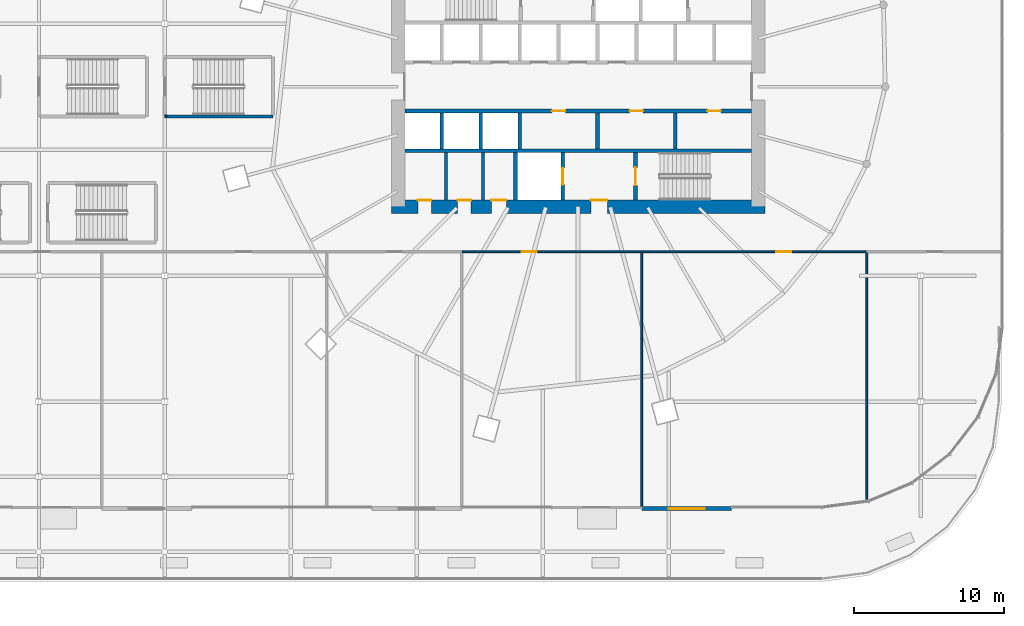
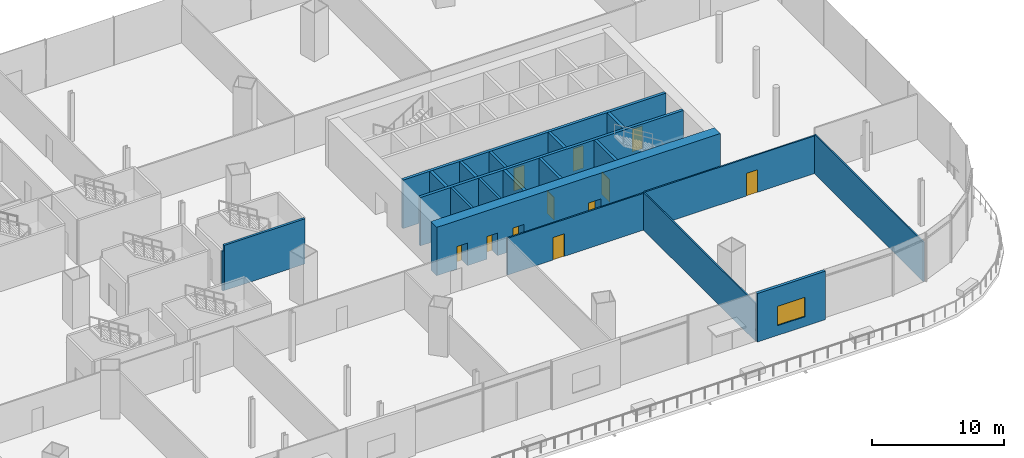
# One storey, part 38 of 52: 20 walls, 11 doors, 1 window, 12 openings.
"""IFC4 building model written with IfcOpenShell, lengths in metres."""

from ifc_helpers import new_model, si_unit, direction, frame, frame_2d, origin, place, context, subcontext, project, spatial, rectangle, extrude, material, layer, layer_set, type_object, element, fill, save


model = new_model("IFC4")

# Units and contexts
model_context = context("Model", 3, precision=1e-05, world=origin(), true_north=direction((0.0, 1.0)))
body_context = subcontext(model_context, "Body", "Model", "MODEL_VIEW")
ifc_project = project(units=[si_unit("LENGTHUNIT", "METRE"), si_unit("AREAUNIT", "SQUARE_METRE"), si_unit("VOLUMEUNIT", "CUBIC_METRE"), si_unit("PLANEANGLEUNIT", "RADIAN"), si_unit("MASSUNIT", "GRAM", prefix="KILO")], contexts=[model_context])

# Site, building, storey
site_placement = place(None, origin())
site = spatial("IfcSite", under=ifc_project, at=site_placement, CompositionType="ELEMENT")
building_placement = place(site_placement, origin())
building = spatial("IfcBuilding", under=site, at=building_placement, Name="Rimbun Link Towers", CompositionType="ELEMENT")
storey_placement = place(building_placement, frame((0.0, 0.0, 21.0)))
storey = spatial("IfcBuildingStorey", under=building, at=storey_placement, Name="L04", CompositionType="ELEMENT", Elevation=21.0)

# Walls
ifc_material_1 = material(Name="Masonry blockwork", Category="masonry")
ifc_layer_1 = layer(ifc_material_1, 0.199951171875)
ifc_layer_set_1 = layer_set([ifc_layer_1], Name="Core partition 200")
wall_type_1 = type_object("IfcWallType", Name="Core partition 200", PredefinedType="PARTITIONING", material=ifc_layer_set_1)
for number, where, z_axis, x_axis, name in (
    (1, (22.949951171875, -4.39990234375, 0.0), (0.0, 0.0, 1.0), (0.0, -1.0, 0.0), "L04 T2 core wall C1"),
    (2, (25.39990234375, -4.39990234375, 0.0), (0.0, 0.0, 1.0), (0.0, -1.0, 0.0), "L04 T2 core wall C2"),
):
    element("IfcWall", number, at=place(storey_placement, frame(where, z_axis=z_axis, x_axis=x_axis)), inside=storey, type_object=wall_type_1, Name=name, PredefinedType="PARTITIONING", context=body_context, shape_type="SweptSolid", body=[
        extrude(rectangle(XDim=3.150146484375, YDim=0.199951171875, at=frame_2d((1.5751953125, 0.0))), origin(), (0.0, 0.0, 1.0), 4.5),
    ])

# Wall, openings, doors
ifc_material_2 = material(Name="Concrete C60/75", Category="concrete")
ifc_layer_2 = layer(ifc_material_2, 0.89990234375)
ifc_layer_set_2 = layer_set([ifc_layer_2], Name="Core shear wall 900")
wall_type_2 = type_object("IfcWallType", Name="Core shear wall 900", PredefinedType="SHEAR", material=ifc_layer_set_2)
wall_1_placement = place(storey_placement, frame((19.300048828125, -8.0, 0.0), z_axis=(0.0, 0.0, 1.0), x_axis=(1.0, 0.0, 0.0)))
wall_1 = element("IfcWall", 3, at=wall_1_placement, inside=storey, type_object=wall_type_2, Name="L04 T2 core wall S", PredefinedType="SHEAR", context=body_context, shape_type="SweptSolid", body=[
    extrude(rectangle(XDim=24.89990234375, YDim=0.89990234375, at=frame_2d((12.449951171875, 0.0))), origin(), (0.0, 0.0, 1.0), 4.5),
])
opening_1_placement = place(wall_1_placement, frame((13.300048828125, 0.0, 0.0)))
opening_1 = element("IfcOpeningElement", 4, at=opening_1_placement, cuts=wall_1, Name="Opening C2DCF01S", PredefinedType="OPENING", context=body_context, shape_type="SweptSolid", body=[
    extrude(rectangle(XDim=1.10009765625, YDim=2.10009765625, at=frame_2d((0.550048828125, 1.050048828125))), frame((0.0, 0.4599609375, 0.0), z_axis=(0.0, -1.0, 0.0), x_axis=(1.0, 0.0, 0.0)), (0.0, 0.0, 1.0), 0.919921875),
])
opening_2_placement = place(wall_1_placement, frame((1.77490234375, 0.0, 0.0)))
opening_2 = element("IfcOpeningElement", 5, at=opening_2_placement, cuts=wall_1, Name="Opening C2DWC02S", PredefinedType="OPENING", context=body_context, shape_type="SweptSolid", body=[
    extrude(rectangle(XDim=0.89990234375, YDim=2.10009765625, at=frame_2d((0.449951171875, 1.050048828125))), frame((0.0, 0.4599609375, 0.0), z_axis=(0.0, -1.0, 0.0), x_axis=(1.0, 0.0, 0.0)), (0.0, 0.0, 1.0), 0.919921875),
])
opening_3_placement = place(wall_1_placement, frame((4.425048828125, 0.0, 0.0)))
opening_3 = element("IfcOpeningElement", 6, at=opening_3_placement, cuts=wall_1, Name="Opening C2DWC03S", PredefinedType="OPENING", context=body_context, shape_type="SweptSolid", body=[
    extrude(rectangle(XDim=0.89990234375, YDim=2.10009765625, at=frame_2d((0.449951171875, 1.050048828125))), frame((0.0, 0.4599609375, 0.0), z_axis=(0.0, -1.0, 0.0), x_axis=(1.0, 0.0, 0.0)), (0.0, 0.0, 1.0), 0.919921875),
])
opening_4_placement = place(wall_1_placement, frame((6.675048828125, 0.0, 0.0)))
opening_4 = element("IfcOpeningElement", 7, at=opening_4_placement, cuts=wall_1, Name="Opening C2DAW04S", PredefinedType="OPENING", context=body_context, shape_type="SweptSolid", body=[
    extrude(rectangle(XDim=1.0, YDim=2.10009765625, at=frame_2d((0.5, 1.050048828125))), frame((0.0, 0.4599609375, 0.0), z_axis=(0.0, -1.0, 0.0), x_axis=(1.0, 0.0, 0.0)), (0.0, 0.0, 1.0), 0.919921875),
])
ifc_material_3 = material(Name="Timber", Category="wood")
door_type_1 = type_object("IfcDoorType", Name="Accessible WC door", OperationType="SINGLE_SWING_LEFT", PredefinedType="DOOR", material=ifc_material_3)
door_1_placement = place(opening_4_placement, origin())
door_1 = element("IfcDoor", 8, at=door_1_placement, inside=storey, type_object=door_type_1, Name="L04 T2 accessible wc door", OperationType="SINGLE_SWING_RIGHT", OverallHeight=2.10009765625, OverallWidth=1.0, PredefinedType="DOOR", context=body_context, shape_type="SweptSolid", body=[
    extrude(rectangle(XDim=1.0, YDim=2.10009765625, at=frame_2d((0.5, 1.050048828125))), frame((0.0, 0.4501953125, 0.0), z_axis=(0.0, -1.0, 0.0), x_axis=(1.0, 0.0, 0.0)), (0.0, 0.0, 1.0), 0.050048828125),
])
fill(opening_4, door_1)
ifc_material_4 = material(Name="Steel fire door set", Category="steel")
door_type_2 = type_object("IfcDoorType", Name="Core fire door single", OperationType="SINGLE_SWING_LEFT", PredefinedType="DOOR", material=ifc_material_4)
door_2_placement = place(opening_1_placement, origin())
door_2 = element("IfcDoor", 9, at=door_2_placement, inside=storey, type_object=door_type_2, Name="L04 T2 firefighting lobby s door", OperationType="SINGLE_SWING_RIGHT", OverallHeight=2.10009765625, OverallWidth=1.10009765625, PredefinedType="DOOR", context=body_context, shape_type="SweptSolid", body=[
    extrude(rectangle(XDim=1.10009765625, YDim=2.10009765625, at=frame_2d((0.550048828125, 1.050048828125))), frame((0.0, 0.4501953125, 0.0), z_axis=(0.0, -1.0, 0.0), x_axis=(1.0, 0.0, 0.0)), (0.0, 0.0, 1.0), 0.050048828125),
])
fill(opening_1, door_2)
ifc_material_5 = material(Name="Timber", Category="wood")
door_type_3 = type_object("IfcDoorType", Name="WC door", OperationType="SINGLE_SWING_LEFT", PredefinedType="DOOR", material=ifc_material_5)
door_3_placement = place(opening_2_placement, origin())
door_3 = element("IfcDoor", 10, at=door_3_placement, inside=storey, type_object=door_type_3, Name="L04 T2 male wc door", OperationType="SINGLE_SWING_LEFT", OverallHeight=2.10009765625, OverallWidth=0.89990234375, PredefinedType="DOOR", context=body_context, shape_type="SweptSolid", body=[
    extrude(rectangle(XDim=0.89990234375, YDim=2.10009765625, at=frame_2d((0.449951171875, 1.050048828125))), frame((0.0, 0.4501953125, 0.0), z_axis=(0.0, -1.0, 0.0), x_axis=(1.0, 0.0, 0.0)), (0.0, 0.0, 1.0), 0.050048828125),
])
fill(opening_2, door_3)
door_4_placement = place(opening_3_placement, origin())
door_4 = element("IfcDoor", 11, at=door_4_placement, inside=storey, type_object=door_type_3, Name="L04 T2 female wc door", OperationType="SINGLE_SWING_RIGHT", OverallHeight=2.10009765625, OverallWidth=0.89990234375, PredefinedType="DOOR", context=body_context, shape_type="SweptSolid", body=[
    extrude(rectangle(XDim=0.89990234375, YDim=2.10009765625, at=frame_2d((0.449951171875, 1.050048828125))), frame((0.0, 0.4501953125, 0.0), z_axis=(0.0, -1.0, 0.0), x_axis=(1.0, 0.0, 0.0)), (0.0, 0.0, 1.0), 0.050048828125),
])
fill(opening_3, door_4)

# Wall, opening, window
ifc_material_6 = material(Name="Concrete C32/40, terracotta rainscreen cladding", Category="masonry")
ifc_layer_3 = layer(ifc_material_6, 0.25)
ifc_layer_set_3 = layer_set([ifc_layer_3], Name="PD solid bay wall 250")
wall_type_3 = type_object("IfcWallType", Name="PD solid bay wall 250", PredefinedType="STANDARD", material=ifc_layer_set_3)
wall_2_placement = place(storey_placement, frame((41.97998046875, -28.125, 0.0), z_axis=(0.0, 0.0, 1.0), x_axis=(-1.0, 0.0, 0.0)))
wall_2 = element("IfcWall", 12, at=wall_2_placement, inside=storey, type_object=wall_type_3, Name="Solid bay wall", PredefinedType="STANDARD", context=body_context, shape_type="SweptSolid", body=[
    extrude(rectangle(XDim=5.9599609375, YDim=0.25, at=frame_2d((2.97998046875, 0.0))), origin(), (0.0, 0.0, 1.0), 4.5),
])
opening_5_placement = place(wall_2_placement, frame((1.780029296875, 0.0, 0.89990234375)))
opening_5 = element("IfcOpeningElement", 13, at=opening_5_placement, cuts=wall_2, Name="Opening WN19", PredefinedType="OPENING", context=body_context, shape_type="SweptSolid", body=[
    extrude(rectangle(XDim=2.39990234375, YDim=1.800048828125, at=frame_2d((1.199951171875, 0.89990234375))), frame((0.0, 0.135009765625, 0.0), z_axis=(0.0, -1.0, 0.0), x_axis=(1.0, 0.0, 0.0)), (0.0, 0.0, 1.0), 0.27001953125),
])
ifc_material_7 = material(Name="Aluminium framed window, low-iron glass", Category="aluminium")
window_type = type_object("IfcWindowType", Name="W1 podium window 2400X1800", PartitioningType="SINGLE_PANEL", PredefinedType="WINDOW", material=ifc_material_7)
window_placement = place(opening_5_placement, origin())
window = element("IfcWindow", 14, at=window_placement, inside=storey, type_object=window_type, Name="Podium window", OverallHeight=1.800048828125, OverallWidth=2.39990234375, PartitioningType="SINGLE_PANEL", PredefinedType="WINDOW", context=body_context, shape_type="SweptSolid", body=[
    extrude(rectangle(XDim=2.39990234375, YDim=1.800048828125, at=frame_2d((1.199951171875, 0.89990234375))), frame((0.0, 0.030029296875, 0.0), z_axis=(0.0, -1.0, 0.0), x_axis=(1.0, 0.0, 0.0)), (0.0, 0.0, 1.0), 0.06005859375),
])
fill(opening_5, window)

# Wall, opening, door
ifc_material_8 = material(Name="Gypsum board on steel studs", Category="steel")
ifc_layer_4 = layer(ifc_material_8, 0.125)
ifc_layer_set_4 = layer_set([ifc_layer_4], Name="Partition 125 board on studs")
wall_type_4 = type_object("IfcWallType", Name="Partition 125 board on studs", PredefinedType="PARTITIONING", material=ifc_layer_set_4)
wall_3_placement = place(storey_placement, frame((24.0, -11.0, 0.0), z_axis=(0.0, 0.0, 1.0), x_axis=(1.0, 0.0, 0.0)))
wall_3 = element("IfcWall", 15, at=wall_3_placement, inside=storey, type_object=wall_type_4, Name="PD/PW/L04/032", PredefinedType="PARTITIONING", context=body_context, shape_type="SweptSolid", body=[
    extrude(rectangle(XDim=12.0, YDim=0.125, at=frame_2d((6.0, 0.0))), origin(), (0.0, 0.0, 1.0), 3.41796875),
])
opening_6_placement = place(wall_3_placement, frame((3.985107421875, 0.0, 0.0)))
opening_6 = element("IfcOpeningElement", 16, at=opening_6_placement, cuts=wall_3, Name="Opening PD D04.08", PredefinedType="OPENING", context=body_context, shape_type="SweptSolid", body=[
    extrude(rectangle(XDim=1.0, YDim=2.10009765625, at=frame_2d((0.5, 1.050048828125))), frame((0.0, 0.072509765625, 0.0), z_axis=(0.0, -1.0, 0.0), x_axis=(1.0, 0.0, 0.0)), (0.0, 0.0, 1.0), 0.14501953125),
])
ifc_material_9 = material(Name="Timber door set", Category="wood")
door_type_4 = type_object("IfcDoorType", Name="Door single leaf 1000 x 2100", OperationType="NOTDEFINED", PredefinedType="DOOR", material=ifc_material_9)
door_5_placement = place(opening_6_placement, origin())
door_5 = element("IfcDoor", 17, at=door_5_placement, inside=storey, type_object=door_type_4, Name="PD/DR/L04/008", OperationType="SINGLE_SWING_LEFT", OverallHeight=2.10009765625, OverallWidth=1.0, PredefinedType="DOOR", context=body_context, shape_type="SweptSolid", body=[
    extrude(rectangle(XDim=1.0, YDim=2.10009765625, at=frame_2d((0.5, 1.050048828125))), frame((0.0, 0.02490234375, 0.0), z_axis=(0.0, -1.0, 0.0), x_axis=(1.0, 0.0, 0.0)), (0.0, 0.0, 1.0), 0.050048828125),
])
fill(opening_6, door_5)

wall_4_placement = place(storey_placement, frame((36.0, -11.0, 0.0), z_axis=(0.0, 0.0, 1.0), x_axis=(1.0, 0.0, 0.0)))
wall_4 = element("IfcWall", 18, at=wall_4_placement, inside=storey, type_object=wall_type_4, Name="PD/PW/L04/033", PredefinedType="PARTITIONING", context=body_context, shape_type="SweptSolid", body=[
    extrude(rectangle(XDim=15.0, YDim=0.125, at=frame_2d((7.5, 0.0))), origin(), (0.0, 0.0, 1.0), 3.49609375),
])
opening_7_placement = place(wall_4_placement, frame((8.965087890625, 0.0, 0.0)))
opening_7 = element("IfcOpeningElement", 19, at=opening_7_placement, cuts=wall_4, Name="Opening PD D04.09", PredefinedType="OPENING", context=body_context, shape_type="SweptSolid", body=[
    extrude(rectangle(XDim=1.0, YDim=2.10009765625, at=frame_2d((0.5, 1.050048828125))), frame((0.0, 0.072509765625, 0.0), z_axis=(0.0, -1.0, 0.0), x_axis=(1.0, 0.0, 0.0)), (0.0, 0.0, 1.0), 0.14501953125),
])
door_6_placement = place(opening_7_placement, origin())
door_6 = element("IfcDoor", 20, at=door_6_placement, inside=storey, type_object=door_type_4, Name="PD/DR/L04/009", OperationType="SINGLE_SWING_RIGHT", OverallHeight=2.10009765625, OverallWidth=1.0, PredefinedType="DOOR", context=body_context, shape_type="SweptSolid", body=[
    extrude(rectangle(XDim=1.0, YDim=2.10009765625, at=frame_2d((0.5, 1.050048828125))), frame((0.0, 0.02490234375, 0.0), z_axis=(0.0, -1.0, 0.0), x_axis=(1.0, 0.0, 0.0)), (0.0, 0.0, 1.0), 0.050048828125),
])
fill(opening_7, door_6)

# Walls
wall_5_placement = place(storey_placement, frame((36.0, -28.080078125, 0.0), z_axis=(0.0, 0.0, 1.0), x_axis=(0.0, 1.0, 0.0)))
element("IfcWall", 21, at=wall_5_placement, inside=storey, type_object=wall_type_4, Name="PD/PW/L04/052", PredefinedType="PARTITIONING", context=body_context, shape_type="SweptSolid", body=[
    extrude(rectangle(XDim=17.017578125, YDim=0.125, at=frame_2d((8.5087890625, 0.0))), origin(), (0.0, 0.0, 1.0), 3.49609375),
])
wall_6_placement = place(storey_placement, frame((51.0, -27.60498046875, 0.0), z_axis=(0.0, 0.0, 1.0), x_axis=(0.0, 1.0, 0.0)))
element("IfcWall", 22, at=wall_6_placement, inside=storey, type_object=wall_type_4, Name="PD/PW/L04/053", PredefinedType="PARTITIONING", context=body_context, shape_type="SweptSolid", body=[
    extrude(rectangle(XDim=16.54248046875, YDim=0.125, at=frame_2d((8.271240234375, 0.0))), origin(), (0.0, 0.0, 1.0), 3.64697265625),
])
ifc_material_10 = material(Name="Concrete C60/75", Category="concrete")
ifc_layer_5 = layer(ifc_material_10, 0.25)
ifc_layer_set_5 = layer_set([ifc_layer_5], Name="Shaft wall 250")
wall_type_5 = type_object("IfcWallType", Name="Shaft wall 250", PredefinedType="SHEAR", material=ifc_layer_set_5)
wall_7_placement = place(storey_placement, frame((20.199951171875, -4.27490234375, 0.0), z_axis=(0.0, 0.0, 1.0), x_axis=(1.0, 0.0, 0.0)))
element("IfcWall", 23, at=wall_7_placement, inside=storey, type_object=wall_type_5, Name="L04 T2 core wall BS", PredefinedType="SHEAR", context=body_context, shape_type="SweptSolid", body=[
    extrude(rectangle(XDim=23.10009765625, YDim=0.25, at=frame_2d((11.550048828125, 0.0))), origin(), (0.0, 0.0, 1.0), 4.5),
])

# Wall, openings, doors
wall_8_placement = place(storey_placement, frame((20.199951171875, -1.625, 0.0), z_axis=(0.0, 0.0, 1.0), x_axis=(1.0, 0.0, 0.0)))
wall_8 = element("IfcWall", 24, at=wall_8_placement, inside=storey, type_object=wall_type_5, Name="L04 T2 core wall FS", PredefinedType="SHEAR", context=body_context, shape_type="SweptSolid", body=[
    extrude(rectangle(XDim=23.10009765625, YDim=0.25, at=frame_2d((11.550048828125, 0.0))), origin(), (0.0, 0.0, 1.0), 4.5),
])
opening_8_placement = place(wall_8_placement, frame((9.802734375, 0.0, 0.0)))
opening_8 = element("IfcOpeningElement", 25, at=opening_8_placement, cuts=wall_8, Name="Opening C2DRS01FS", PredefinedType="OPENING", context=body_context, shape_type="SweptSolid", body=[
    extrude(rectangle(XDim=0.89990234375, YDim=2.10009765625, at=frame_2d((0.449951171875, 1.050048828125))), frame((0.0, 0.135009765625, 0.0), z_axis=(0.0, -1.0, 0.0), x_axis=(1.0, 0.0, 0.0)), (0.0, 0.0, 1.0), 0.27001953125),
])
opening_9_placement = place(wall_8_placement, frame((14.99169921875, 0.0, 0.0)))
opening_9 = element("IfcOpeningElement", 26, at=opening_9_placement, cuts=wall_8, Name="Opening C2DRS02FS", PredefinedType="OPENING", context=body_context, shape_type="SweptSolid", body=[
    extrude(rectangle(XDim=0.89990234375, YDim=2.10009765625, at=frame_2d((0.449951171875, 1.050048828125))), frame((0.0, 0.135009765625, 0.0), z_axis=(0.0, -1.0, 0.0), x_axis=(1.0, 0.0, 0.0)), (0.0, 0.0, 1.0), 0.27001953125),
])
opening_10_placement = place(wall_8_placement, frame((20.1806640625, 0.0, 0.0)))
opening_10 = element("IfcOpeningElement", 27, at=opening_10_placement, cuts=wall_8, Name="Opening C2DRS03FS", PredefinedType="OPENING", context=body_context, shape_type="SweptSolid", body=[
    extrude(rectangle(XDim=0.89990234375, YDim=2.10009765625, at=frame_2d((0.449951171875, 1.050048828125))), frame((0.0, 0.135009765625, 0.0), z_axis=(0.0, -1.0, 0.0), x_axis=(1.0, 0.0, 0.0)), (0.0, 0.0, 1.0), 0.27001953125),
])
ifc_material_11 = material(Name="Steel fire door set", Category="steel")
door_type_5 = type_object("IfcDoorType", Name="Core riser door", OperationType="SINGLE_SWING_LEFT", PredefinedType="DOOR", material=ifc_material_11)
door_7_placement = place(opening_8_placement, origin())
door_7 = element("IfcDoor", 28, at=door_7_placement, inside=storey, type_object=door_type_5, Name="L04 T2 server room door", OperationType="SINGLE_SWING_LEFT", OverallHeight=2.10009765625, OverallWidth=0.89990234375, PredefinedType="DOOR", context=body_context, shape_type="SweptSolid", body=[
    extrude(rectangle(XDim=0.89990234375, YDim=2.10009765625, at=frame_2d((0.449951171875, 1.050048828125))), frame((0.0, 0.02490234375, 0.0), z_axis=(0.0, -1.0, 0.0), x_axis=(1.0, 0.0, 0.0)), (0.0, 0.0, 1.0), 0.050048828125),
])
fill(opening_8, door_7)
door_8_placement = place(opening_9_placement, origin())
door_8 = element("IfcDoor", 29, at=door_8_placement, inside=storey, type_object=door_type_5, Name="L04 T2 print room door", OperationType="SINGLE_SWING_LEFT", OverallHeight=2.10009765625, OverallWidth=0.89990234375, PredefinedType="DOOR", context=body_context, shape_type="SweptSolid", body=[
    extrude(rectangle(XDim=0.89990234375, YDim=2.10009765625, at=frame_2d((0.449951171875, 1.050048828125))), frame((0.0, 0.02490234375, 0.0), z_axis=(0.0, -1.0, 0.0), x_axis=(1.0, 0.0, 0.0)), (0.0, 0.0, 1.0), 0.050048828125),
])
fill(opening_9, door_8)
door_9_placement = place(opening_10_placement, origin())
door_9 = element("IfcDoor", 30, at=door_9_placement, inside=storey, type_object=door_type_5, Name="L04 T2 staff lounge door", OperationType="SINGLE_SWING_LEFT", OverallHeight=2.10009765625, OverallWidth=0.89990234375, PredefinedType="DOOR", context=body_context, shape_type="SweptSolid", body=[
    extrude(rectangle(XDim=0.89990234375, YDim=2.10009765625, at=frame_2d((0.449951171875, 1.050048828125))), frame((0.0, 0.02490234375, 0.0), z_axis=(0.0, -1.0, 0.0), x_axis=(1.0, 0.0, 0.0)), (0.0, 0.0, 1.0), 0.050048828125),
])
fill(opening_10, door_9)

# Walls
for number, where, z_axis, x_axis, name in (
    (31, (22.66943359375, -4.14990234375, 0.0), (0.0, 0.0, 1.0), (0.0, 1.0, 0.0), "L04 T2 core wall DS0"),
    (32, (25.263916015625, -4.14990234375, 0.0), (0.0, 0.0, 1.0), (0.0, 1.0, 0.0), "L04 T2 core wall DS1"),
    (33, (27.8583984375, -4.14990234375, 0.0), (0.0, 0.0, 1.0), (0.0, 1.0, 0.0), "L04 T2 core wall DS2"),
    (34, (33.047119140625, -4.14990234375, 0.0), (0.0, 0.0, 1.0), (0.0, 1.0, 0.0), "L04 T2 core wall DS4"),
    (35, (38.236083984375, -4.14990234375, 0.0), (0.0, 0.0, 1.0), (0.0, 1.0, 0.0), "L04 T2 core wall DS6"),
):
    element("IfcWall", number, at=place(storey_placement, frame(where, z_axis=z_axis, x_axis=x_axis)), inside=storey, type_object=wall_type_5, Name=name, PredefinedType="SHEAR", context=body_context, shape_type="SweptSolid", body=[
        extrude(rectangle(XDim=2.39990234375, YDim=0.25, at=frame_2d((1.199951171875, 0.0))), origin(), (0.0, 0.0, 1.0), 4.5),
    ])

# Wall, opening, door
wall_9_placement = place(storey_placement, frame((35.574951171875, -4.39990234375, 0.0), z_axis=(0.0, 0.0, 1.0), x_axis=(0.0, -1.0, 0.0)))
wall_9 = element("IfcWall", 36, at=wall_9_placement, inside=storey, type_object=wall_type_5, Name="L04 T2 core wall B1", PredefinedType="SHEAR", context=body_context, shape_type="SweptSolid", body=[
    extrude(rectangle(XDim=3.150146484375, YDim=0.25, at=frame_2d((1.5751953125, 0.0))), origin(), (0.0, 0.0, 1.0), 4.5),
])
opening_11_placement = place(wall_9_placement, frame((0.97509765625, 0.0, 0.0)))
opening_11 = element("IfcOpeningElement", 37, at=opening_11_placement, cuts=wall_9, Name="Opening C2DST01B1", PredefinedType="OPENING", context=body_context, shape_type="SweptSolid", body=[
    extrude(rectangle(XDim=1.199951171875, YDim=2.10009765625, at=frame_2d((0.60009765625, 1.050048828125))), frame((0.0, 0.135009765625, 0.0), z_axis=(0.0, -1.0, 0.0), x_axis=(1.0, 0.0, 0.0)), (0.0, 0.0, 1.0), 0.27001953125),
])
ifc_material_12 = material(Name="Steel fire door set", Category="steel")
door_type_6 = type_object("IfcDoorType", Name="Stair door", OperationType="SINGLE_SWING_LEFT", PredefinedType="DOOR", material=ifc_material_12)
door_10_placement = place(opening_11_placement, origin())
door_10 = element("IfcDoor", 38, at=door_10_placement, inside=storey, type_object=door_type_6, Name="L04 T2 stair b door", OperationType="SINGLE_SWING_RIGHT", OverallHeight=2.10009765625, OverallWidth=1.199951171875, PredefinedType="DOOR", context=body_context, shape_type="SweptSolid", body=[
    extrude(rectangle(XDim=1.199951171875, YDim=2.10009765625, at=frame_2d((0.60009765625, 1.050048828125))), frame((0.0, 0.02490234375, 0.0), z_axis=(0.0, -1.0, 0.0), x_axis=(1.0, 0.0, 0.0)), (0.0, 0.0, 1.0), 0.050048828125),
])
fill(opening_11, door_10)

wall_10_placement = place(storey_placement, frame((30.72509765625, -4.39990234375, 0.0), z_axis=(0.0, 0.0, 1.0), x_axis=(0.0, -1.0, 0.0)))
wall_10 = element("IfcWall", 39, at=wall_10_placement, inside=storey, type_object=wall_type_5, Name="L04 T2 core wall B2", PredefinedType="SHEAR", context=body_context, shape_type="SweptSolid", body=[
    extrude(rectangle(XDim=3.150146484375, YDim=0.25, at=frame_2d((1.5751953125, 0.0))), origin(), (0.0, 0.0, 1.0), 4.5),
])
opening_12_placement = place(wall_10_placement, frame((1.02490234375, 0.0, 0.0)))
opening_12 = element("IfcOpeningElement", 40, at=opening_12_placement, cuts=wall_10, Name="Opening LD-T2-FF2", PredefinedType="OPENING", context=body_context, shape_type="SweptSolid", body=[
    extrude(rectangle(XDim=1.10009765625, YDim=2.10009765625, at=frame_2d((0.550048828125, 1.050048828125))), frame((0.0, 0.135009765625, 0.0), z_axis=(0.0, -1.0, 0.0), x_axis=(1.0, 0.0, 0.0)), (0.0, 0.0, 1.0), 0.27001953125),
])
ifc_material_13 = material(Name="Stainless steel grade 316", Category="steel")
door_type_7 = type_object("IfcDoorType", Name="Lift landing door", OperationType="DOUBLE_DOOR_SLIDING", PredefinedType="DOOR", material=ifc_material_13)
door_11_placement = place(opening_12_placement, origin())
door_11 = element("IfcDoor", 41, at=door_11_placement, inside=storey, type_object=door_type_7, Name="L04 T2 lift FF2 landing door", OperationType="DOUBLE_DOOR_SLIDING", OverallHeight=2.10009765625, OverallWidth=1.10009765625, PredefinedType="DOOR", context=body_context, shape_type="SweptSolid", body=[
    extrude(rectangle(XDim=1.10009765625, YDim=2.10009765625, at=frame_2d((0.550048828125, 1.050048828125))), frame((0.0, 0.02490234375, 0.0), z_axis=(0.0, -1.0, 0.0), x_axis=(1.0, 0.0, 0.0)), (0.0, 0.0, 1.0), 0.050048828125),
])
fill(opening_12, door_11)

# Walls
wall_11_placement = place(storey_placement, frame((27.574951171875, -4.39990234375, 0.0), z_axis=(0.0, 0.0, 1.0), x_axis=(0.0, -1.0, 0.0)))
element("IfcWall", 42, at=wall_11_placement, inside=storey, type_object=wall_type_5, Name="L04 T2 core wall B3", PredefinedType="SHEAR", context=body_context, shape_type="SweptSolid", body=[
    extrude(rectangle(XDim=3.150146484375, YDim=0.25, at=frame_2d((1.5751953125, 0.0))), origin(), (0.0, 0.0, 1.0), 4.5),
])
ifc_material_14 = material(Name="Concrete C40/50", Category="concrete")
ifc_layer_6 = layer(ifc_material_14, 0.199951171875)
ifc_layer_set_6 = layer_set([ifc_layer_6], Name="Stair shaft wall 200")
wall_type_6 = type_object("IfcWallType", Name="Stair shaft wall 200", PredefinedType="SOLIDWALL", material=ifc_layer_set_6)
wall_12_placement = place(storey_placement, frame((4.199951171875, -1.97509765625, 0.0), z_axis=(0.0, 0.0, 1.0), x_axis=(1.0, 0.0, 0.0)))
element("IfcWall", 43, at=wall_12_placement, inside=storey, type_object=wall_type_6, Name="PD/PW/L04/017", PredefinedType="SOLIDWALL", context=body_context, shape_type="SweptSolid", body=[
    extrude(rectangle(XDim=0.124755859375, YDim=0.199951171875, at=frame_2d((0.0625, 0.0))), origin(), (0.0, 0.0, 1.0), 3.64697265625),
])
wall_13_placement = place(storey_placement, frame((4.32470703125, -1.97509765625, 0.0), z_axis=(0.0, 0.0, 1.0), x_axis=(1.0, 0.0, 0.0)))
element("IfcWall", 44, at=wall_13_placement, inside=storey, type_object=wall_type_6, Name="PD/PW/L04/017b", PredefinedType="SOLIDWALL", context=body_context, shape_type="SweptSolid", body=[
    extrude(rectangle(XDim=7.0751953125, YDim=0.199951171875, at=frame_2d((3.53759765625, 0.0))), origin(), (0.0, 0.0, 1.0), 4.199951171875),
])

save(model, "model.ifc")
